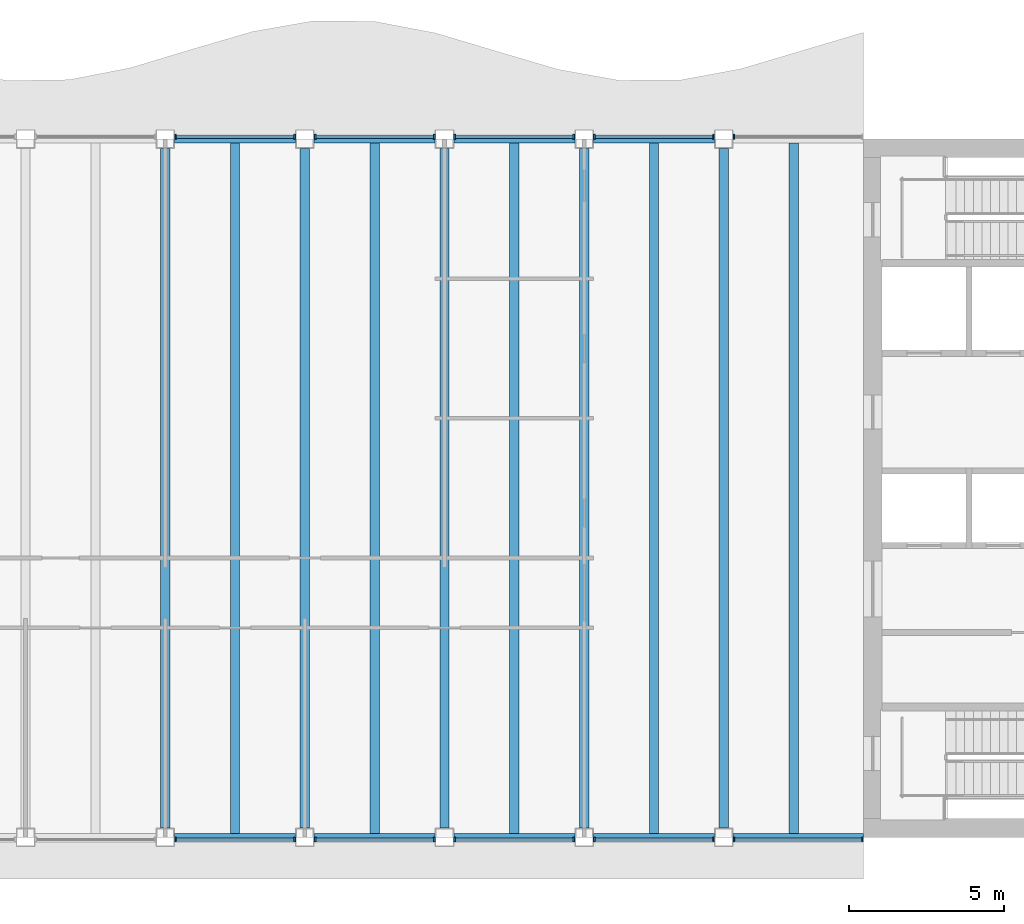
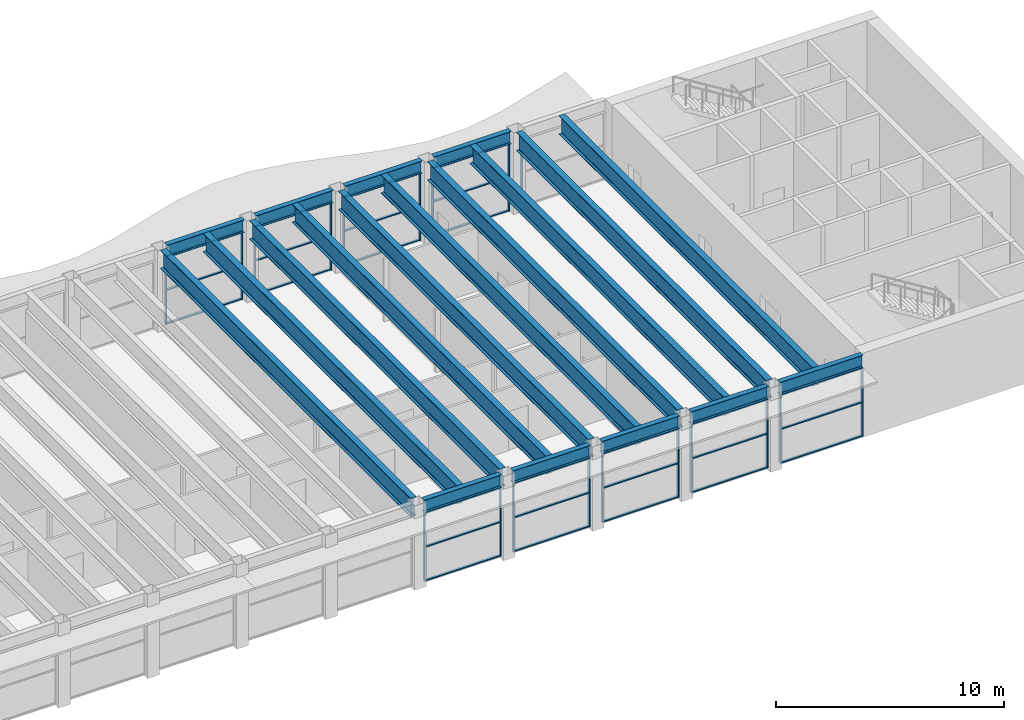
# One storey, part 5 of 14: 46 members, 19 beams, 10 elements without a shape of their own.
"""IFC4 building model written with IfcOpenShell, lengths in metres."""

from ifc_helpers import new_model, si_unit, direction, frame, origin, origin_2d, place, context, subcontext, project, spatial, rectangle, i_section, extrude, material, material_profile, profile_set, type_object, element, aggregate, save


model = new_model("IFC4")

# Units and contexts
model_context = context("Model", 3, precision=1e-05, world=origin(), true_north=direction((0.0, 1.0)))
body_context = subcontext(model_context, "Body", "Model", "MODEL_VIEW")
ifc_project = project(units=[si_unit("LENGTHUNIT", "METRE"), si_unit("AREAUNIT", "SQUARE_METRE"), si_unit("VOLUMEUNIT", "CUBIC_METRE"), si_unit("PLANEANGLEUNIT", "RADIAN"), si_unit("MASSUNIT", "GRAM", prefix="KILO")], contexts=[model_context])

# Site, building, storey
site_placement = place(None, origin())
site = spatial("IfcSite", under=ifc_project, at=site_placement, CompositionType="ELEMENT")
building_placement = place(site_placement, origin())
building = spatial("IfcBuilding", under=site, at=building_placement, Name="Sennacour Bend Tower", CompositionType="ELEMENT")
storey_placement = place(building_placement, frame((0.0, 0.0, 336.5)))
storey = spatial("IfcBuildingStorey", under=building, at=storey_placement, Name="L77", CompositionType="ELEMENT", Elevation=336.5)

# Curtain wall, members
ifc_material_1 = material(Name="Bronze anodised aluminium curtain wall with clear glass", Category="aluminium")
curtain_wall_type = type_object("IfcCurtainWallType", Name="CURTAIN WALL EXEC", PredefinedType="NOTDEFINED", material=ifc_material_1)
curtain_wall_1_placement = place(storey_placement, origin())
curtain_wall_1 = element("IfcCurtainWall", 1, at=curtain_wall_1_placement, inside=storey, type_object=curtain_wall_type, Name="Executive floor glass wall L77", PredefinedType="NOTDEFINED")
ifc_material_2 = material(Name="Aluminium 6063-T6", Category="aluminium")
ifc_material_profile_1 = material_profile(ifc_material_2, rectangle(XDim=0.14990234375, YDim=0.06005859375, at=origin_2d()), Name="Aluminium 6063-T6", Category="aluminium")
ifc_profile_set_1 = profile_set([ifc_material_profile_1], Name="Aluminium 6063-T6")
member_type_1 = type_object("IfcMemberType", Name="CW-MULLION-150X60", PredefinedType="MULLION", material=ifc_profile_set_1)
member_1_placement = place(storey_placement, frame((31.830078125, -0.074951171875, 0.0), z_axis=(0.0, 0.0, 1.0), x_axis=(0.0, 1.0, 0.0)))
member_1 = element("IfcMember", 2, at=member_1_placement, type_object=member_type_1, Name="GW3 curtain wall mullion 1", PredefinedType="MULLION", context=body_context, shape_type="SweptSolid", body=[
    extrude(rectangle(XDim=0.14990234375, YDim=0.06005859375, at=origin_2d()), origin(), (0.0, 0.0, 1.0), 3.672119140625),
])
member_2_placement = place(storey_placement, frame((35.669921875, -0.074951171875, 0.0), z_axis=(0.0, 0.0, 1.0), x_axis=(0.0, 1.0, 0.0)))
member_2 = element("IfcMember", 3, at=member_2_placement, type_object=member_type_1, Name="GW3 curtain wall mullion 2", PredefinedType="MULLION", context=body_context, shape_type="SweptSolid", body=[
    extrude(rectangle(XDim=0.14990234375, YDim=0.06005859375, at=origin_2d()), origin(), (0.0, 0.0, 1.0), 3.672119140625),
])

curtain_wall_2_placement = place(storey_placement, origin())
curtain_wall_2 = element("IfcCurtainWall", 4, at=curtain_wall_2_placement, inside=storey, type_object=curtain_wall_type, Name="Executive floor glass wall L77", PredefinedType="NOTDEFINED")
member_3_placement = place(storey_placement, frame((36.330078125, -0.074951171875, 0.0), z_axis=(0.0, 0.0, 1.0), x_axis=(0.0, 1.0, 0.0)))
member_3 = element("IfcMember", 5, at=member_3_placement, type_object=member_type_1, Name="GW3 curtain wall mullion 1", PredefinedType="MULLION", context=body_context, shape_type="SweptSolid", body=[
    extrude(rectangle(XDim=0.14990234375, YDim=0.06005859375, at=origin_2d()), origin(), (0.0, 0.0, 1.0), 3.672119140625),
])
member_4_placement = place(storey_placement, frame((40.169921875, -0.074951171875, 0.0), z_axis=(0.0, 0.0, 1.0), x_axis=(0.0, 1.0, 0.0)))
member_4 = element("IfcMember", 6, at=member_4_placement, type_object=member_type_1, Name="GW3 curtain wall mullion 2", PredefinedType="MULLION", context=body_context, shape_type="SweptSolid", body=[
    extrude(rectangle(XDim=0.14990234375, YDim=0.06005859375, at=origin_2d()), origin(), (0.0, 0.0, 1.0), 3.672119140625),
])

curtain_wall_3_placement = place(storey_placement, origin())
curtain_wall_3 = element("IfcCurtainWall", 7, at=curtain_wall_3_placement, inside=storey, type_object=curtain_wall_type, Name="Executive floor glass wall L77", PredefinedType="NOTDEFINED")
member_5_placement = place(storey_placement, frame((40.830078125, -0.074951171875, 0.0), z_axis=(0.0, 0.0, 1.0), x_axis=(0.0, 1.0, 0.0)))
member_5 = element("IfcMember", 8, at=member_5_placement, type_object=member_type_1, Name="GW3 curtain wall mullion 1", PredefinedType="MULLION", context=body_context, shape_type="SweptSolid", body=[
    extrude(rectangle(XDim=0.14990234375, YDim=0.06005859375, at=origin_2d()), origin(), (0.0, 0.0, 1.0), 3.672119140625),
])
member_6_placement = place(storey_placement, frame((44.669921875, -0.074951171875, 0.0), z_axis=(0.0, 0.0, 1.0), x_axis=(0.0, 1.0, 0.0)))
member_6 = element("IfcMember", 9, at=member_6_placement, type_object=member_type_1, Name="GW3 curtain wall mullion 2", PredefinedType="MULLION", context=body_context, shape_type="SweptSolid", body=[
    extrude(rectangle(XDim=0.14990234375, YDim=0.06005859375, at=origin_2d()), origin(), (0.0, 0.0, 1.0), 3.672119140625),
])

curtain_wall_4_placement = place(storey_placement, origin())
curtain_wall_4 = element("IfcCurtainWall", 10, at=curtain_wall_4_placement, inside=storey, type_object=curtain_wall_type, Name="Executive floor glass wall L77", PredefinedType="NOTDEFINED")
member_7_placement = place(storey_placement, frame((45.330078125, -0.074951171875, 0.0), z_axis=(0.0, 0.0, 1.0), x_axis=(0.0, 1.0, 0.0)))
member_7 = element("IfcMember", 11, at=member_7_placement, type_object=member_type_1, Name="GW3 curtain wall mullion 1", PredefinedType="MULLION", context=body_context, shape_type="SweptSolid", body=[
    extrude(rectangle(XDim=0.14990234375, YDim=0.06005859375, at=origin_2d()), origin(), (0.0, 0.0, 1.0), 3.672119140625),
])
member_8_placement = place(storey_placement, frame((49.169921875, -0.074951171875, 0.0), z_axis=(0.0, 0.0, 1.0), x_axis=(0.0, 1.0, 0.0)))
member_8 = element("IfcMember", 12, at=member_8_placement, type_object=member_type_1, Name="GW3 curtain wall mullion 2", PredefinedType="MULLION", context=body_context, shape_type="SweptSolid", body=[
    extrude(rectangle(XDim=0.14990234375, YDim=0.06005859375, at=origin_2d()), origin(), (0.0, 0.0, 1.0), 3.672119140625),
])

curtain_wall_5_placement = place(storey_placement, origin())
curtain_wall_5 = element("IfcCurtainWall", 13, at=curtain_wall_5_placement, inside=storey, type_object=curtain_wall_type, Name="Executive floor glass wall L77", PredefinedType="NOTDEFINED")
member_9_placement = place(storey_placement, frame((49.830078125, -0.074951171875, 0.0), z_axis=(0.0, 0.0, 1.0), x_axis=(0.0, 1.0, 0.0)))
member_9 = element("IfcMember", 14, at=member_9_placement, type_object=member_type_1, Name="GW3 curtain wall mullion 1", PredefinedType="MULLION", context=body_context, shape_type="SweptSolid", body=[
    extrude(rectangle(XDim=0.14990234375, YDim=0.06005859375, at=origin_2d()), origin(), (0.0, 0.0, 1.0), 3.672119140625),
])
member_10_placement = place(storey_placement, frame((53.969970703125, -0.074951171875, 0.0), z_axis=(0.0, 0.0, 1.0), x_axis=(0.0, 1.0, 0.0)))
member_10 = element("IfcMember", 15, at=member_10_placement, type_object=member_type_1, Name="GW3 curtain wall mullion 2", PredefinedType="MULLION", context=body_context, shape_type="SweptSolid", body=[
    extrude(rectangle(XDim=0.14990234375, YDim=0.06005859375, at=origin_2d()), origin(), (0.0, 0.0, 1.0), 3.672119140625),
])

# Curtain wall, member
curtain_wall_6_placement = place(storey_placement, origin())
curtain_wall_6 = element("IfcCurtainWall", 16, at=curtain_wall_6_placement, inside=storey, type_object=curtain_wall_type, Name="Executive floor glass wall L77", PredefinedType="NOTDEFINED")
member_11_placement = place(storey_placement, frame((49.830078125, 22.574951171875, 0.0), z_axis=(0.0, 0.0, 1.0), x_axis=(0.0, -1.0, 0.0)))
member_11 = element("IfcMember", 17, at=member_11_placement, type_object=member_type_1, Name="GW3 curtain wall mullion 2", PredefinedType="MULLION", context=body_context, shape_type="SweptSolid", body=[
    extrude(rectangle(XDim=0.14990234375, YDim=0.06005859375, at=origin_2d()), origin(), (0.0, 0.0, 1.0), 3.672119140625),
])
aggregate(curtain_wall_6, [member_11])

# Curtain wall, members
curtain_wall_7_placement = place(storey_placement, origin())
curtain_wall_7 = element("IfcCurtainWall", 18, at=curtain_wall_7_placement, inside=storey, type_object=curtain_wall_type, Name="Executive floor glass wall L77", PredefinedType="NOTDEFINED")
member_12_placement = place(storey_placement, frame((49.169921875, 22.574951171875, 0.0), z_axis=(0.0, 0.0, 1.0), x_axis=(0.0, -1.0, 0.0)))
member_12 = element("IfcMember", 19, at=member_12_placement, type_object=member_type_1, Name="GW3 curtain wall mullion 1", PredefinedType="MULLION", context=body_context, shape_type="SweptSolid", body=[
    extrude(rectangle(XDim=0.14990234375, YDim=0.06005859375, at=origin_2d()), origin(), (0.0, 0.0, 1.0), 3.672119140625),
])
member_13_placement = place(storey_placement, frame((45.330078125, 22.574951171875, 0.0), z_axis=(0.0, 0.0, 1.0), x_axis=(0.0, -1.0, 0.0)))
member_13 = element("IfcMember", 20, at=member_13_placement, type_object=member_type_1, Name="GW3 curtain wall mullion 2", PredefinedType="MULLION", context=body_context, shape_type="SweptSolid", body=[
    extrude(rectangle(XDim=0.14990234375, YDim=0.06005859375, at=origin_2d()), origin(), (0.0, 0.0, 1.0), 3.672119140625),
])

curtain_wall_8_placement = place(storey_placement, origin())
curtain_wall_8 = element("IfcCurtainWall", 21, at=curtain_wall_8_placement, inside=storey, type_object=curtain_wall_type, Name="Executive floor glass wall L77", PredefinedType="NOTDEFINED")
member_14_placement = place(storey_placement, frame((44.669921875, 22.574951171875, 0.0), z_axis=(0.0, 0.0, 1.0), x_axis=(0.0, -1.0, 0.0)))
member_14 = element("IfcMember", 22, at=member_14_placement, type_object=member_type_1, Name="GW3 curtain wall mullion 1", PredefinedType="MULLION", context=body_context, shape_type="SweptSolid", body=[
    extrude(rectangle(XDim=0.14990234375, YDim=0.06005859375, at=origin_2d()), origin(), (0.0, 0.0, 1.0), 3.672119140625),
])
member_15_placement = place(storey_placement, frame((40.830078125, 22.574951171875, 0.0), z_axis=(0.0, 0.0, 1.0), x_axis=(0.0, -1.0, 0.0)))
member_15 = element("IfcMember", 23, at=member_15_placement, type_object=member_type_1, Name="GW3 curtain wall mullion 2", PredefinedType="MULLION", context=body_context, shape_type="SweptSolid", body=[
    extrude(rectangle(XDim=0.14990234375, YDim=0.06005859375, at=origin_2d()), origin(), (0.0, 0.0, 1.0), 3.672119140625),
])

curtain_wall_9_placement = place(storey_placement, origin())
curtain_wall_9 = element("IfcCurtainWall", 24, at=curtain_wall_9_placement, inside=storey, type_object=curtain_wall_type, Name="Executive floor glass wall L77", PredefinedType="NOTDEFINED")
member_16_placement = place(storey_placement, frame((40.169921875, 22.574951171875, 0.0), z_axis=(0.0, 0.0, 1.0), x_axis=(0.0, -1.0, 0.0)))
member_16 = element("IfcMember", 25, at=member_16_placement, type_object=member_type_1, Name="GW3 curtain wall mullion 1", PredefinedType="MULLION", context=body_context, shape_type="SweptSolid", body=[
    extrude(rectangle(XDim=0.14990234375, YDim=0.06005859375, at=origin_2d()), origin(), (0.0, 0.0, 1.0), 3.672119140625),
])
member_17_placement = place(storey_placement, frame((36.330078125, 22.574951171875, 0.0), z_axis=(0.0, 0.0, 1.0), x_axis=(0.0, -1.0, 0.0)))
member_17 = element("IfcMember", 26, at=member_17_placement, type_object=member_type_1, Name="GW3 curtain wall mullion 2", PredefinedType="MULLION", context=body_context, shape_type="SweptSolid", body=[
    extrude(rectangle(XDim=0.14990234375, YDim=0.06005859375, at=origin_2d()), origin(), (0.0, 0.0, 1.0), 3.672119140625),
])

curtain_wall_10_placement = place(storey_placement, origin())
curtain_wall_10 = element("IfcCurtainWall", 27, at=curtain_wall_10_placement, inside=storey, type_object=curtain_wall_type, Name="Executive floor glass wall L77", PredefinedType="NOTDEFINED")
member_18_placement = place(storey_placement, frame((35.669921875, 22.574951171875, 0.0), z_axis=(0.0, 0.0, 1.0), x_axis=(0.0, -1.0, 0.0)))
member_18 = element("IfcMember", 28, at=member_18_placement, type_object=member_type_1, Name="GW3 curtain wall mullion 1", PredefinedType="MULLION", context=body_context, shape_type="SweptSolid", body=[
    extrude(rectangle(XDim=0.14990234375, YDim=0.06005859375, at=origin_2d()), origin(), (0.0, 0.0, 1.0), 3.672119140625),
])
member_19_placement = place(storey_placement, frame((31.830078125, 22.574951171875, 0.0), z_axis=(0.0, 0.0, 1.0), x_axis=(0.0, -1.0, 0.0)))
member_19 = element("IfcMember", 29, at=member_19_placement, type_object=member_type_1, Name="GW3 curtain wall mullion 2", PredefinedType="MULLION", context=body_context, shape_type="SweptSolid", body=[
    extrude(rectangle(XDim=0.14990234375, YDim=0.06005859375, at=origin_2d()), origin(), (0.0, 0.0, 1.0), 3.672119140625),
])

# Member
ifc_material_profile_2 = material_profile(ifc_material_2, rectangle(XDim=0.1201171875, YDim=0.06005859375, at=origin_2d()), Name="Aluminium 6063-T6", Category="aluminium")
ifc_profile_set_2 = profile_set([ifc_material_profile_2], Name="Aluminium 6063-T6")
member_type_2 = type_object("IfcMemberType", Name="CW-TRANSOM-120X60", PredefinedType="USERDEFINED", material=ifc_profile_set_2)
member_20_placement = place(storey_placement, frame((31.860107421875, -0.074951171875, 0.030029296875), z_axis=(1.0, 0.0, 0.0), x_axis=(0.0, 1.0, 0.0)))
member_20 = element("IfcMember", 30, at=member_20_placement, type_object=member_type_2, Name="GW3 curtain wall transom 1.1", ObjectType="TRANSOM", PredefinedType="USERDEFINED", context=body_context, shape_type="SweptSolid", body=[
    extrude(rectangle(XDim=0.1201171875, YDim=0.06005859375, at=origin_2d()), origin(), (0.0, 0.0, 1.0), 3.77978515625),
])

member_21_placement = place(storey_placement, frame((31.860107421875, -0.074951171875, 1.8359375), z_axis=(1.0, 0.0, 0.0), x_axis=(0.0, 1.0, 0.0)))
member_21 = element("IfcMember", 31, at=member_21_placement, type_object=member_type_2, Name="GW3 curtain wall transom 1.2", ObjectType="TRANSOM", PredefinedType="USERDEFINED", context=body_context, shape_type="SweptSolid", body=[
    extrude(rectangle(XDim=0.1201171875, YDim=0.06005859375, at=origin_2d()), origin(), (0.0, 0.0, 1.0), 3.77978515625),
])

member_22_placement = place(storey_placement, frame((31.860107421875, -0.074951171875, 3.64208984375), z_axis=(1.0, 0.0, 0.0), x_axis=(0.0, 1.0, 0.0)))
member_22 = element("IfcMember", 32, at=member_22_placement, type_object=member_type_2, Name="GW3 curtain wall transom 1.3", ObjectType="TRANSOM", PredefinedType="USERDEFINED", context=body_context, shape_type="SweptSolid", body=[
    extrude(rectangle(XDim=0.1201171875, YDim=0.06005859375, at=origin_2d()), origin(), (0.0, 0.0, 1.0), 3.77978515625),
])

aggregate(curtain_wall_1, [member_1, member_2, member_20, member_21, member_22])

member_23_placement = place(storey_placement, frame((36.360107421875, -0.074951171875, 0.030029296875), z_axis=(1.0, 0.0, 0.0), x_axis=(0.0, 1.0, 0.0)))
member_23 = element("IfcMember", 33, at=member_23_placement, type_object=member_type_2, Name="GW3 curtain wall transom 1.1", ObjectType="TRANSOM", PredefinedType="USERDEFINED", context=body_context, shape_type="SweptSolid", body=[
    extrude(rectangle(XDim=0.1201171875, YDim=0.06005859375, at=origin_2d()), origin(), (0.0, 0.0, 1.0), 3.77978515625),
])

member_24_placement = place(storey_placement, frame((36.360107421875, -0.074951171875, 1.8359375), z_axis=(1.0, 0.0, 0.0), x_axis=(0.0, 1.0, 0.0)))
member_24 = element("IfcMember", 34, at=member_24_placement, type_object=member_type_2, Name="GW3 curtain wall transom 1.2", ObjectType="TRANSOM", PredefinedType="USERDEFINED", context=body_context, shape_type="SweptSolid", body=[
    extrude(rectangle(XDim=0.1201171875, YDim=0.06005859375, at=origin_2d()), origin(), (0.0, 0.0, 1.0), 3.77978515625),
])

member_25_placement = place(storey_placement, frame((36.360107421875, -0.074951171875, 3.64208984375), z_axis=(1.0, 0.0, 0.0), x_axis=(0.0, 1.0, 0.0)))
member_25 = element("IfcMember", 35, at=member_25_placement, type_object=member_type_2, Name="GW3 curtain wall transom 1.3", ObjectType="TRANSOM", PredefinedType="USERDEFINED", context=body_context, shape_type="SweptSolid", body=[
    extrude(rectangle(XDim=0.1201171875, YDim=0.06005859375, at=origin_2d()), origin(), (0.0, 0.0, 1.0), 3.77978515625),
])

aggregate(curtain_wall_2, [member_3, member_4, member_23, member_24, member_25])

member_26_placement = place(storey_placement, frame((40.860107421875, -0.074951171875, 0.030029296875), z_axis=(1.0, 0.0, 0.0), x_axis=(0.0, 1.0, 0.0)))
member_26 = element("IfcMember", 36, at=member_26_placement, type_object=member_type_2, Name="GW3 curtain wall transom 1.1", ObjectType="TRANSOM", PredefinedType="USERDEFINED", context=body_context, shape_type="SweptSolid", body=[
    extrude(rectangle(XDim=0.1201171875, YDim=0.06005859375, at=origin_2d()), origin(), (0.0, 0.0, 1.0), 3.77978515625),
])

member_27_placement = place(storey_placement, frame((40.860107421875, -0.074951171875, 1.8359375), z_axis=(1.0, 0.0, 0.0), x_axis=(0.0, 1.0, 0.0)))
member_27 = element("IfcMember", 37, at=member_27_placement, type_object=member_type_2, Name="GW3 curtain wall transom 1.2", ObjectType="TRANSOM", PredefinedType="USERDEFINED", context=body_context, shape_type="SweptSolid", body=[
    extrude(rectangle(XDim=0.1201171875, YDim=0.06005859375, at=origin_2d()), origin(), (0.0, 0.0, 1.0), 3.77978515625),
])

member_28_placement = place(storey_placement, frame((40.860107421875, -0.074951171875, 3.64208984375), z_axis=(1.0, 0.0, 0.0), x_axis=(0.0, 1.0, 0.0)))
member_28 = element("IfcMember", 38, at=member_28_placement, type_object=member_type_2, Name="GW3 curtain wall transom 1.3", ObjectType="TRANSOM", PredefinedType="USERDEFINED", context=body_context, shape_type="SweptSolid", body=[
    extrude(rectangle(XDim=0.1201171875, YDim=0.06005859375, at=origin_2d()), origin(), (0.0, 0.0, 1.0), 3.77978515625),
])

aggregate(curtain_wall_3, [member_5, member_6, member_26, member_27, member_28])

member_29_placement = place(storey_placement, frame((45.360107421875, -0.074951171875, 0.030029296875), z_axis=(1.0, 0.0, 0.0), x_axis=(0.0, 1.0, 0.0)))
member_29 = element("IfcMember", 39, at=member_29_placement, type_object=member_type_2, Name="GW3 curtain wall transom 1.1", ObjectType="TRANSOM", PredefinedType="USERDEFINED", context=body_context, shape_type="SweptSolid", body=[
    extrude(rectangle(XDim=0.1201171875, YDim=0.06005859375, at=origin_2d()), origin(), (0.0, 0.0, 1.0), 3.77978515625),
])

member_30_placement = place(storey_placement, frame((45.360107421875, -0.074951171875, 1.8359375), z_axis=(1.0, 0.0, 0.0), x_axis=(0.0, 1.0, 0.0)))
member_30 = element("IfcMember", 40, at=member_30_placement, type_object=member_type_2, Name="GW3 curtain wall transom 1.2", ObjectType="TRANSOM", PredefinedType="USERDEFINED", context=body_context, shape_type="SweptSolid", body=[
    extrude(rectangle(XDim=0.1201171875, YDim=0.06005859375, at=origin_2d()), origin(), (0.0, 0.0, 1.0), 3.77978515625),
])

member_31_placement = place(storey_placement, frame((45.360107421875, -0.074951171875, 3.64208984375), z_axis=(1.0, 0.0, 0.0), x_axis=(0.0, 1.0, 0.0)))
member_31 = element("IfcMember", 41, at=member_31_placement, type_object=member_type_2, Name="GW3 curtain wall transom 1.3", ObjectType="TRANSOM", PredefinedType="USERDEFINED", context=body_context, shape_type="SweptSolid", body=[
    extrude(rectangle(XDim=0.1201171875, YDim=0.06005859375, at=origin_2d()), origin(), (0.0, 0.0, 1.0), 3.77978515625),
])

aggregate(curtain_wall_4, [member_7, member_8, member_29, member_30, member_31])

member_32_placement = place(storey_placement, frame((49.860107421875, -0.074951171875, 0.030029296875), z_axis=(1.0, 0.0, 0.0), x_axis=(0.0, 1.0, 0.0)))
member_32 = element("IfcMember", 42, at=member_32_placement, type_object=member_type_2, Name="GW3 curtain wall transom 1.1", ObjectType="TRANSOM", PredefinedType="USERDEFINED", context=body_context, shape_type="SweptSolid", body=[
    extrude(rectangle(XDim=0.1201171875, YDim=0.06005859375, at=origin_2d()), origin(), (0.0, 0.0, 1.0), 4.079833984375),
])

member_33_placement = place(storey_placement, frame((49.860107421875, -0.074951171875, 1.8359375), z_axis=(1.0, 0.0, 0.0), x_axis=(0.0, 1.0, 0.0)))
member_33 = element("IfcMember", 43, at=member_33_placement, type_object=member_type_2, Name="GW3 curtain wall transom 1.2", ObjectType="TRANSOM", PredefinedType="USERDEFINED", context=body_context, shape_type="SweptSolid", body=[
    extrude(rectangle(XDim=0.1201171875, YDim=0.06005859375, at=origin_2d()), origin(), (0.0, 0.0, 1.0), 4.079833984375),
])

member_34_placement = place(storey_placement, frame((49.860107421875, -0.074951171875, 3.64208984375), z_axis=(1.0, 0.0, 0.0), x_axis=(0.0, 1.0, 0.0)))
member_34 = element("IfcMember", 44, at=member_34_placement, type_object=member_type_2, Name="GW3 curtain wall transom 1.3", ObjectType="TRANSOM", PredefinedType="USERDEFINED", context=body_context, shape_type="SweptSolid", body=[
    extrude(rectangle(XDim=0.1201171875, YDim=0.06005859375, at=origin_2d()), origin(), (0.0, 0.0, 1.0), 4.079833984375),
])

aggregate(curtain_wall_5, [member_9, member_10, member_32, member_33, member_34])

member_35_placement = place(storey_placement, frame((49.139892578125, 22.574951171875, 0.030029296875), z_axis=(-1.0, 0.0, 0.0), x_axis=(0.0, -1.0, 0.0)))
member_35 = element("IfcMember", 45, at=member_35_placement, type_object=member_type_2, Name="GW3 curtain wall transom 1.1", ObjectType="TRANSOM", PredefinedType="USERDEFINED", context=body_context, shape_type="SweptSolid", body=[
    extrude(rectangle(XDim=0.1201171875, YDim=0.06005859375, at=origin_2d()), origin(), (0.0, 0.0, 1.0), 3.77978515625),
])

member_36_placement = place(storey_placement, frame((49.139892578125, 22.574951171875, 1.8359375), z_axis=(-1.0, 0.0, 0.0), x_axis=(0.0, -1.0, 0.0)))
member_36 = element("IfcMember", 46, at=member_36_placement, type_object=member_type_2, Name="GW3 curtain wall transom 1.2", ObjectType="TRANSOM", PredefinedType="USERDEFINED", context=body_context, shape_type="SweptSolid", body=[
    extrude(rectangle(XDim=0.1201171875, YDim=0.06005859375, at=origin_2d()), origin(), (0.0, 0.0, 1.0), 3.77978515625),
])

member_37_placement = place(storey_placement, frame((49.139892578125, 22.574951171875, 3.64208984375), z_axis=(-1.0, 0.0, 0.0), x_axis=(0.0, -1.0, 0.0)))
member_37 = element("IfcMember", 47, at=member_37_placement, type_object=member_type_2, Name="GW3 curtain wall transom 1.3", ObjectType="TRANSOM", PredefinedType="USERDEFINED", context=body_context, shape_type="SweptSolid", body=[
    extrude(rectangle(XDim=0.1201171875, YDim=0.06005859375, at=origin_2d()), origin(), (0.0, 0.0, 1.0), 3.77978515625),
])

aggregate(curtain_wall_7, [member_12, member_13, member_35, member_36, member_37])

member_38_placement = place(storey_placement, frame((44.639892578125, 22.574951171875, 0.030029296875), z_axis=(-1.0, 0.0, 0.0), x_axis=(0.0, -1.0, 0.0)))
member_38 = element("IfcMember", 48, at=member_38_placement, type_object=member_type_2, Name="GW3 curtain wall transom 1.1", ObjectType="TRANSOM", PredefinedType="USERDEFINED", context=body_context, shape_type="SweptSolid", body=[
    extrude(rectangle(XDim=0.1201171875, YDim=0.06005859375, at=origin_2d()), origin(), (0.0, 0.0, 1.0), 3.77978515625),
])

member_39_placement = place(storey_placement, frame((44.639892578125, 22.574951171875, 1.8359375), z_axis=(-1.0, 0.0, 0.0), x_axis=(0.0, -1.0, 0.0)))
member_39 = element("IfcMember", 49, at=member_39_placement, type_object=member_type_2, Name="GW3 curtain wall transom 1.2", ObjectType="TRANSOM", PredefinedType="USERDEFINED", context=body_context, shape_type="SweptSolid", body=[
    extrude(rectangle(XDim=0.1201171875, YDim=0.06005859375, at=origin_2d()), origin(), (0.0, 0.0, 1.0), 3.77978515625),
])

member_40_placement = place(storey_placement, frame((44.639892578125, 22.574951171875, 3.64208984375), z_axis=(-1.0, 0.0, 0.0), x_axis=(0.0, -1.0, 0.0)))
member_40 = element("IfcMember", 50, at=member_40_placement, type_object=member_type_2, Name="GW3 curtain wall transom 1.3", ObjectType="TRANSOM", PredefinedType="USERDEFINED", context=body_context, shape_type="SweptSolid", body=[
    extrude(rectangle(XDim=0.1201171875, YDim=0.06005859375, at=origin_2d()), origin(), (0.0, 0.0, 1.0), 3.77978515625),
])

aggregate(curtain_wall_8, [member_14, member_15, member_38, member_39, member_40])

member_41_placement = place(storey_placement, frame((40.139892578125, 22.574951171875, 0.030029296875), z_axis=(-1.0, 0.0, 0.0), x_axis=(0.0, -1.0, 0.0)))
member_41 = element("IfcMember", 51, at=member_41_placement, type_object=member_type_2, Name="GW3 curtain wall transom 1.1", ObjectType="TRANSOM", PredefinedType="USERDEFINED", context=body_context, shape_type="SweptSolid", body=[
    extrude(rectangle(XDim=0.1201171875, YDim=0.06005859375, at=origin_2d()), origin(), (0.0, 0.0, 1.0), 3.77978515625),
])

member_42_placement = place(storey_placement, frame((40.139892578125, 22.574951171875, 1.8359375), z_axis=(-1.0, 0.0, 0.0), x_axis=(0.0, -1.0, 0.0)))
member_42 = element("IfcMember", 52, at=member_42_placement, type_object=member_type_2, Name="GW3 curtain wall transom 1.2", ObjectType="TRANSOM", PredefinedType="USERDEFINED", context=body_context, shape_type="SweptSolid", body=[
    extrude(rectangle(XDim=0.1201171875, YDim=0.06005859375, at=origin_2d()), origin(), (0.0, 0.0, 1.0), 3.77978515625),
])

member_43_placement = place(storey_placement, frame((40.139892578125, 22.574951171875, 3.64208984375), z_axis=(-1.0, 0.0, 0.0), x_axis=(0.0, -1.0, 0.0)))
member_43 = element("IfcMember", 53, at=member_43_placement, type_object=member_type_2, Name="GW3 curtain wall transom 1.3", ObjectType="TRANSOM", PredefinedType="USERDEFINED", context=body_context, shape_type="SweptSolid", body=[
    extrude(rectangle(XDim=0.1201171875, YDim=0.06005859375, at=origin_2d()), origin(), (0.0, 0.0, 1.0), 3.77978515625),
])

aggregate(curtain_wall_9, [member_16, member_17, member_41, member_42, member_43])

member_44_placement = place(storey_placement, frame((35.639892578125, 22.574951171875, 0.030029296875), z_axis=(-1.0, 0.0, 0.0), x_axis=(0.0, -1.0, 0.0)))
member_44 = element("IfcMember", 54, at=member_44_placement, type_object=member_type_2, Name="GW3 curtain wall transom 1.1", ObjectType="TRANSOM", PredefinedType="USERDEFINED", context=body_context, shape_type="SweptSolid", body=[
    extrude(rectangle(XDim=0.1201171875, YDim=0.06005859375, at=origin_2d()), origin(), (0.0, 0.0, 1.0), 3.77978515625),
])

member_45_placement = place(storey_placement, frame((35.639892578125, 22.574951171875, 1.8359375), z_axis=(-1.0, 0.0, 0.0), x_axis=(0.0, -1.0, 0.0)))
member_45 = element("IfcMember", 55, at=member_45_placement, type_object=member_type_2, Name="GW3 curtain wall transom 1.2", ObjectType="TRANSOM", PredefinedType="USERDEFINED", context=body_context, shape_type="SweptSolid", body=[
    extrude(rectangle(XDim=0.1201171875, YDim=0.06005859375, at=origin_2d()), origin(), (0.0, 0.0, 1.0), 3.77978515625),
])

member_46_placement = place(storey_placement, frame((35.639892578125, 22.574951171875, 3.64208984375), z_axis=(-1.0, 0.0, 0.0), x_axis=(0.0, -1.0, 0.0)))
member_46 = element("IfcMember", 56, at=member_46_placement, type_object=member_type_2, Name="GW3 curtain wall transom 1.3", ObjectType="TRANSOM", PredefinedType="USERDEFINED", context=body_context, shape_type="SweptSolid", body=[
    extrude(rectangle(XDim=0.1201171875, YDim=0.06005859375, at=origin_2d()), origin(), (0.0, 0.0, 1.0), 3.77978515625),
])

aggregate(curtain_wall_10, [member_18, member_19, member_44, member_45, member_46])

# Beams
ifc_material_3 = material(Name="Steel ASTM A992 Grade 50", Category="steel")
ifc_material_profile_3 = material_profile(ifc_material_3, i_section(OverallWidth=0.300048828125, OverallDepth=0.990966796875, WebThickness=0.0166015625, FlangeThickness=0.030517578125, FilletRadius=0.030029296875, at=origin_2d()), Name="Steel ASTM A992 Grade 50", Category="steel")
ifc_profile_set_3 = profile_set([ifc_material_profile_3], Name="Steel ASTM A992 Grade 50")
beam_type_1 = type_object("IfcBeamType", Name="Floor beam W1000X272", PredefinedType="BEAM", material=ifc_profile_set_3)
beam_1_placement = place(storey_placement, frame((31.5, 0.300048828125, 3.8544921875), z_axis=(0.0, 1.0, 0.0), x_axis=(-1.0, 0.0, 0.0)))
element("IfcBeam", 57, at=beam_1_placement, inside=storey, type_object=beam_type_1, Name="Floor beam FBM3 L78-014", PredefinedType="BEAM", context=body_context, shape_type="SweptSolid", body=[
    extrude(i_section(OverallWidth=0.300048828125, OverallDepth=0.990966796875, WebThickness=0.0166015625, FlangeThickness=0.030517578125, FilletRadius=0.030029296875, at=origin_2d()), origin(), (0.0, 0.0, 1.0), 21.89990234375),
])
beam_2_placement = place(storey_placement, frame((33.75, 0.126953125, 3.8544921875), z_axis=(0.0, 1.0, 0.0), x_axis=(-1.0, 0.0, 0.0)))
element("IfcBeam", 58, at=beam_2_placement, inside=storey, type_object=beam_type_1, Name="Floor beam FBM3 L78-015", PredefinedType="BEAM", context=body_context, shape_type="SweptSolid", body=[
    extrude(i_section(OverallWidth=0.300048828125, OverallDepth=0.990966796875, WebThickness=0.0166015625, FlangeThickness=0.030517578125, FilletRadius=0.030029296875, at=origin_2d()), origin(), (0.0, 0.0, 1.0), 22.24609375),
])
beam_3_placement = place(storey_placement, frame((36.0, 0.300048828125, 3.8544921875), z_axis=(0.0, 1.0, 0.0), x_axis=(-1.0, 0.0, 0.0)))
element("IfcBeam", 59, at=beam_3_placement, inside=storey, type_object=beam_type_1, Name="Floor beam FBM3 L78-016", PredefinedType="BEAM", context=body_context, shape_type="SweptSolid", body=[
    extrude(i_section(OverallWidth=0.300048828125, OverallDepth=0.990966796875, WebThickness=0.0166015625, FlangeThickness=0.030517578125, FilletRadius=0.030029296875, at=origin_2d()), origin(), (0.0, 0.0, 1.0), 21.89990234375),
])
beam_4_placement = place(storey_placement, frame((38.25, 0.126953125, 3.8544921875), z_axis=(0.0, 1.0, 0.0), x_axis=(-1.0, 0.0, 0.0)))
element("IfcBeam", 60, at=beam_4_placement, inside=storey, type_object=beam_type_1, Name="Floor beam FBM3 L78-017", PredefinedType="BEAM", context=body_context, shape_type="SweptSolid", body=[
    extrude(i_section(OverallWidth=0.300048828125, OverallDepth=0.990966796875, WebThickness=0.0166015625, FlangeThickness=0.030517578125, FilletRadius=0.030029296875, at=origin_2d()), origin(), (0.0, 0.0, 1.0), 22.24609375),
])
beam_5_placement = place(storey_placement, frame((40.5, 0.300048828125, 3.8544921875), z_axis=(0.0, 1.0, 0.0), x_axis=(-1.0, 0.0, 0.0)))
element("IfcBeam", 61, at=beam_5_placement, inside=storey, type_object=beam_type_1, Name="Floor beam FBM3 L78-018", PredefinedType="BEAM", context=body_context, shape_type="SweptSolid", body=[
    extrude(i_section(OverallWidth=0.300048828125, OverallDepth=0.990966796875, WebThickness=0.0166015625, FlangeThickness=0.030517578125, FilletRadius=0.030029296875, at=origin_2d()), origin(), (0.0, 0.0, 1.0), 21.89990234375),
])
beam_6_placement = place(storey_placement, frame((42.75, 0.126953125, 3.8544921875), z_axis=(0.0, 1.0, 0.0), x_axis=(-1.0, 0.0, 0.0)))
element("IfcBeam", 62, at=beam_6_placement, inside=storey, type_object=beam_type_1, Name="Floor beam FBM3 L78-019", PredefinedType="BEAM", context=body_context, shape_type="SweptSolid", body=[
    extrude(i_section(OverallWidth=0.300048828125, OverallDepth=0.990966796875, WebThickness=0.0166015625, FlangeThickness=0.030517578125, FilletRadius=0.030029296875, at=origin_2d()), origin(), (0.0, 0.0, 1.0), 22.24609375),
])
beam_7_placement = place(storey_placement, frame((45.0, 0.300048828125, 3.8544921875), z_axis=(0.0, 1.0, 0.0), x_axis=(-1.0, 0.0, 0.0)))
element("IfcBeam", 63, at=beam_7_placement, inside=storey, type_object=beam_type_1, Name="Floor beam FBM3 L78-020", PredefinedType="BEAM", context=body_context, shape_type="SweptSolid", body=[
    extrude(i_section(OverallWidth=0.300048828125, OverallDepth=0.990966796875, WebThickness=0.0166015625, FlangeThickness=0.030517578125, FilletRadius=0.030029296875, at=origin_2d()), origin(), (0.0, 0.0, 1.0), 21.89990234375),
])
beam_8_placement = place(storey_placement, frame((47.25, 0.126953125, 3.8544921875), z_axis=(0.0, 1.0, 0.0), x_axis=(-1.0, 0.0, 0.0)))
element("IfcBeam", 64, at=beam_8_placement, inside=storey, type_object=beam_type_1, Name="Floor beam FBM3 L78-021", PredefinedType="BEAM", context=body_context, shape_type="SweptSolid", body=[
    extrude(i_section(OverallWidth=0.300048828125, OverallDepth=0.990966796875, WebThickness=0.0166015625, FlangeThickness=0.030517578125, FilletRadius=0.030029296875, at=origin_2d()), origin(), (0.0, 0.0, 1.0), 22.24609375),
])
beam_9_placement = place(storey_placement, frame((49.5, 0.300048828125, 3.8544921875), z_axis=(0.0, 1.0, 0.0), x_axis=(-1.0, 0.0, 0.0)))
element("IfcBeam", 65, at=beam_9_placement, inside=storey, type_object=beam_type_1, Name="Floor beam FBM3 L78-022", PredefinedType="BEAM", context=body_context, shape_type="SweptSolid", body=[
    extrude(i_section(OverallWidth=0.300048828125, OverallDepth=0.990966796875, WebThickness=0.0166015625, FlangeThickness=0.030517578125, FilletRadius=0.030029296875, at=origin_2d()), origin(), (0.0, 0.0, 1.0), 21.89990234375),
])
beam_10_placement = place(storey_placement, frame((51.75, 0.126953125, 3.8544921875), z_axis=(0.0, 1.0, 0.0), x_axis=(-1.0, 0.0, 0.0)))
element("IfcBeam", 66, at=beam_10_placement, inside=storey, type_object=beam_type_1, Name="Floor beam FBM3 L78-023", PredefinedType="BEAM", context=body_context, shape_type="SweptSolid", body=[
    extrude(i_section(OverallWidth=0.300048828125, OverallDepth=0.990966796875, WebThickness=0.0166015625, FlangeThickness=0.030517578125, FilletRadius=0.030029296875, at=origin_2d()), origin(), (0.0, 0.0, 1.0), 22.24609375),
])
ifc_material_profile_4 = material_profile(ifc_material_3, i_section(OverallWidth=0.25390625, OverallDepth=0.677978515625, WebThickness=0.01171875, FlangeThickness=0.016357421875, FilletRadius=0.01513671875, at=origin_2d()), Name="Steel ASTM A992 Grade 50", Category="steel")
ifc_profile_set_4 = profile_set([ifc_material_profile_4], Name="Steel ASTM A992 Grade 50")
beam_type_2 = type_object("IfcBeamType", Name="Spandrel beam W690X125", PredefinedType="SPANDREL", material=ifc_profile_set_4)
for number, where, z_axis, x_axis, name in (
    (67, (31.800048828125, 22.5, 4.010986328125), (1.0, 0.0, 0.0), (0.0, 1.0, 0.0), "Spandrel beam SP7 L78-013"),
    (68, (36.300048828125, 22.5, 4.010986328125), (1.0, 0.0, 0.0), (0.0, 1.0, 0.0), "Spandrel beam SP7 L78-014"),
    (69, (40.800048828125, 22.5, 4.010986328125), (1.0, 0.0, 0.0), (0.0, 1.0, 0.0), "Spandrel beam SP7 L78-015"),
    (70, (45.300048828125, 22.5, 4.010986328125), (1.0, 0.0, 0.0), (0.0, 1.0, 0.0), "Spandrel beam SP7 L78-016"),
):
    element("IfcBeam", number, at=place(storey_placement, frame(where, z_axis=z_axis, x_axis=x_axis)), inside=storey, type_object=beam_type_2, Name=name, PredefinedType="SPANDREL", context=body_context, shape_type="SweptSolid", body=[
        extrude(i_section(OverallWidth=0.25390625, OverallDepth=0.677978515625, WebThickness=0.01171875, FlangeThickness=0.016357421875, FilletRadius=0.01513671875, at=origin_2d()), origin(), (0.0, 0.0, 1.0), 3.89990234375),
    ])
beam_11_placement = place(storey_placement, frame((54.0, 0.0, 4.010986328125), z_axis=(-1.0, 0.0, 0.0), x_axis=(0.0, -1.0, 0.0)))
element("IfcBeam", 71, at=beam_11_placement, inside=storey, type_object=beam_type_2, Name="Spandrel beam SP7 L78-018", PredefinedType="SPANDREL", context=body_context, shape_type="SweptSolid", body=[
    extrude(i_section(OverallWidth=0.25390625, OverallDepth=0.677978515625, WebThickness=0.01171875, FlangeThickness=0.016357421875, FilletRadius=0.01513671875, at=origin_2d()), origin(), (0.0, 0.0, 1.0), 4.199951171875),
])
for number, where, z_axis, x_axis, name in (
    (72, (49.199951171875, 0.0, 4.010986328125), (-1.0, 0.0, 0.0), (0.0, -1.0, 0.0), "Spandrel beam SP7 L78-019"),
    (73, (44.699951171875, 0.0, 4.010986328125), (-1.0, 0.0, 0.0), (0.0, -1.0, 0.0), "Spandrel beam SP7 L78-020"),
    (74, (40.199951171875, 0.0, 4.010986328125), (-1.0, 0.0, 0.0), (0.0, -1.0, 0.0), "Spandrel beam SP7 L78-021"),
    (75, (35.699951171875, 0.0, 4.010986328125), (-1.0, 0.0, 0.0), (0.0, -1.0, 0.0), "Spandrel beam SP7 L78-022"),
):
    element("IfcBeam", number, at=place(storey_placement, frame(where, z_axis=z_axis, x_axis=x_axis)), inside=storey, type_object=beam_type_2, Name=name, PredefinedType="SPANDREL", context=body_context, shape_type="SweptSolid", body=[
        extrude(i_section(OverallWidth=0.25390625, OverallDepth=0.677978515625, WebThickness=0.01171875, FlangeThickness=0.016357421875, FilletRadius=0.01513671875, at=origin_2d()), origin(), (0.0, 0.0, 1.0), 3.89990234375),
    ])

save(model, "model.ifc")
